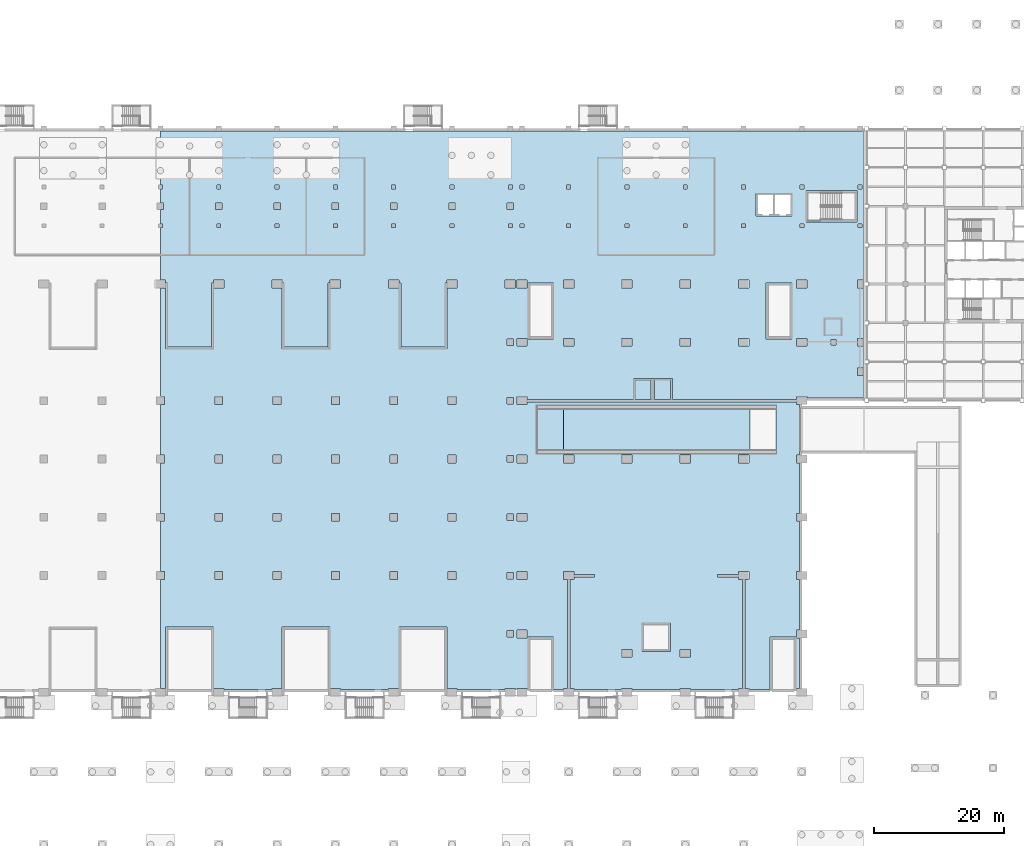
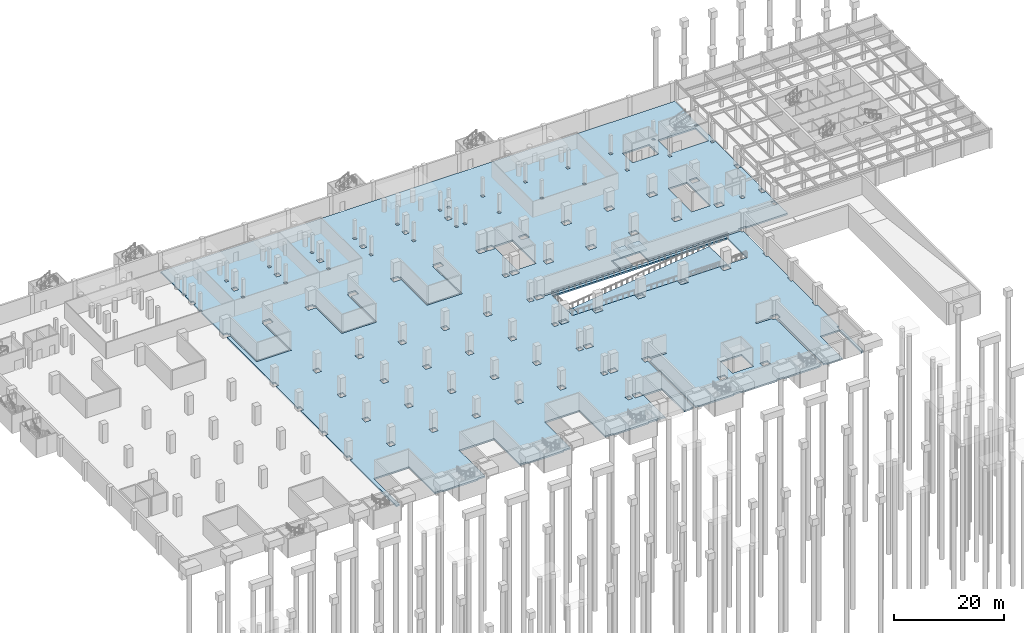
# One storey, part 9 of 27: 6 slabs.
"""IFC4 building model written with IfcOpenShell, lengths in metres."""

from ifc_helpers import new_model, si_unit, direction, frame, origin, place, context, subcontext, project, spatial, polyline, outline, extrude, material, layer, layer_set, type_object, element, save


model = new_model("IFC4")

# Units and contexts
model_context = context("Model", 3, precision=1e-05, world=origin(), true_north=direction((0.0, 1.0)))
body_context = subcontext(model_context, "Body", "Model", "MODEL_VIEW")
ifc_project = project(units=[si_unit("LENGTHUNIT", "METRE"), si_unit("AREAUNIT", "SQUARE_METRE"), si_unit("VOLUMEUNIT", "CUBIC_METRE"), si_unit("PLANEANGLEUNIT", "RADIAN"), si_unit("MASSUNIT", "GRAM", prefix="KILO")], contexts=[model_context])

# Site, building, storey
site_placement = place(None, origin())
site = spatial("IfcSite", under=ifc_project, at=site_placement, CompositionType="ELEMENT")
building_placement = place(site_placement, origin())
building = spatial("IfcBuilding", under=site, at=building_placement, Name="Aravalli Gate Trade Fair Centre", CompositionType="ELEMENT")
storey_placement = place(building_placement, frame((0.0, 0.0, -4.199951171875)))
storey = spatial("IfcBuildingStorey", under=building, at=storey_placement, Name="B1", CompositionType="ELEMENT", Elevation=-4.199951171875)

# Slabs
ifc_material_1 = material(Name="Concrete M40", Category="concrete")
ifc_layer_1 = layer(ifc_material_1, 0.35009765625)
ifc_layer_set_1 = layer_set([ifc_layer_1], Name="Concrete M40")
slab_type_1 = type_object("IfcSlabType", Name="Basement floor slab 350", PredefinedType="FLOOR", material=ifc_layer_set_1)
slab_1_placement = place(storey_placement, frame((0.0, 0.0, -0.35009765625)))
element("IfcSlab", 1, at=slab_1_placement, inside=storey, type_object=slab_type_1, Name="Basement floor slab B1 west of the seismic joint, part 2 of 2", PredefinedType="FLOOR", context=body_context, shape_type="SweptSolid", body=[
    extrude(outline(polyline([(150.802001953125, 91.60205078125), (150.802001953125, 91.39990234375), (159.5, 91.39990234375), (159.5, 132.60009765625), (159.402099609375, 132.60009765625), (159.402099609375, 132.597900390625), (158.597900390625, 132.597900390625), (158.597900390625, 132.60009765625), (150.402099609375, 132.60009765625), (150.402099609375, 132.597900390625), (149.597900390625, 132.597900390625), (149.597900390625, 132.60009765625), (141.402099609375, 132.60009765625), (141.402099609375, 132.597900390625), (140.597900390625, 132.597900390625), (140.597900390625, 132.60009765625), (132.402099609375, 132.60009765625), (132.402099609375, 132.597900390625), (131.597900390625, 132.597900390625), (131.597900390625, 132.60009765625), (123.402099609375, 132.60009765625), (123.402099609375, 132.597900390625), (122.597900390625, 132.597900390625), (122.597900390625, 132.60009765625), (114.402099609375, 132.60009765625), (114.402099609375, 132.597900390625), (113.597900390625, 132.597900390625), (113.597900390625, 132.60009765625), (107.201904296875, 132.60009765625), (107.201904296875, 132.597900390625), (106.39794921875, 132.597900390625), (106.39794921875, 132.60009765625), (105.402099609375, 132.60009765625), (105.402099609375, 132.597900390625), (104.597900390625, 132.597900390625), (104.597900390625, 132.60009765625), (96.402099609375, 132.60009765625), (96.402099609375, 132.597900390625), (95.597900390625, 132.597900390625), (95.597900390625, 132.60009765625), (87.402099609375, 132.60009765625), (87.402099609375, 132.597900390625), (86.597900390625, 132.597900390625), (86.597900390625, 132.60009765625), (78.402099609375, 132.60009765625), (78.402099609375, 132.597900390625), (77.597900390625, 132.597900390625), (77.597900390625, 132.60009765625), (69.402099609375, 132.60009765625), (69.402099609375, 132.597900390625), (68.597900390625, 132.597900390625), (68.597900390625, 132.60009765625), (60.402099609375, 132.60009765625), (60.402099609375, 132.597900390625), (59.597900390625, 132.597900390625), (59.597900390625, 132.60009765625), (51.402099609375, 132.60009765625), (51.402099609375, 132.597900390625), (51.02001953125, 132.597900390625), (51.02001953125, 124.302001953125), (51.302001953125, 124.302001953125), (51.302001953125, 123.697998046875), (51.02001953125, 123.697998046875), (51.02001953125, 121.501953125), (51.501953125, 121.501953125), (51.501953125, 120.498046875), (51.02001953125, 120.498046875), (51.02001953125, 118.302001953125), (51.302001953125, 118.302001953125), (51.302001953125, 117.697998046875), (51.02001953125, 117.697998046875), (51.02001953125, 109.60205078125), (51.802001953125, 109.60205078125), (51.802001953125, 109.152099609375), (52.10205078125, 109.152099609375), (52.10205078125, 99.251953125), (58.89794921875, 99.251953125), (58.89794921875, 109.152099609375), (59.197998046875, 109.152099609375), (59.197998046875, 109.60205078125), (60.802001953125, 109.60205078125), (60.802001953125, 108.39794921875), (59.201904296875, 108.39794921875), (59.201904296875, 98.947998046875), (58.902099609375, 98.947998046875), (52.097900390625, 98.947998046875), (51.798095703125, 98.947998046875), (51.798095703125, 108.39794921875), (51.02001953125, 108.39794921875), (51.02001953125, 91.60205078125), (51.60205078125, 91.60205078125), (51.60205078125, 90.39794921875), (51.02001953125, 90.39794921875), (51.02001953125, 82.60205078125), (51.60205078125, 82.60205078125), (51.60205078125, 81.39794921875), (51.02001953125, 81.39794921875), (51.02001953125, 73.60205078125), (51.60205078125, 73.60205078125), (51.60205078125, 72.39794921875), (51.02001953125, 72.39794921875), (51.02001953125, 64.60205078125), (51.60205078125, 64.60205078125), (51.60205078125, 63.39794921875), (51.02001953125, 63.39794921875), (51.02001953125, 46.60205078125), (51.798095703125, 46.60205078125), (51.798095703125, 56.052001953125), (52.097900390625, 56.052001953125), (52.10205078125, 56.052001953125), (58.89794921875, 56.052001953125), (58.902099609375, 56.052001953125), (59.201904296875, 56.052001953125), (59.201904296875, 46.60205078125), (60.802001953125, 46.60205078125), (60.802001953125, 46.39990234375), (68.197998046875, 46.39990234375), (68.197998046875, 46.60205078125), (69.798095703125, 46.60205078125), (69.798095703125, 56.052001953125), (70.097900390625, 56.052001953125), (70.10205078125, 56.052001953125), (76.89794921875, 56.052001953125), (76.902099609375, 56.052001953125), (77.201904296875, 56.052001953125), (77.201904296875, 46.60205078125), (78.802001953125, 46.60205078125), (78.802001953125, 46.39990234375), (86.197998046875, 46.39990234375), (86.197998046875, 46.60205078125), (87.798095703125, 46.60205078125), (87.798095703125, 56.052001953125), (88.097900390625, 56.052001953125), (88.10205078125, 56.052001953125), (94.89794921875, 56.052001953125), (94.902099609375, 56.052001953125), (95.201904296875, 56.052001953125), (95.201904296875, 46.60205078125), (96.802001953125, 46.60205078125), (96.802001953125, 46.39990234375), (104.197998046875, 46.39990234375), (104.197998046875, 46.60205078125), (105.802001953125, 46.60205078125), (105.802001953125, 46.39990234375), (105.998046875, 46.39990234375), (105.998046875, 46.60205078125), (107.60205078125, 46.60205078125), (107.60205078125, 46.39990234375), (107.697998046875, 46.39990234375), (107.697998046875, 54.501953125), (107.998046875, 54.501953125), (108.001953125, 54.501953125), (111.39794921875, 54.501953125), (111.402099609375, 54.501953125), (111.701904296875, 54.501953125), (111.701904296875, 46.39990234375), (113.197998046875, 46.39990234375), (113.197998046875, 46.60205078125), (113.798095703125, 46.60205078125), (113.798095703125, 63.39794921875), (113.197998046875, 63.39794921875), (113.197998046875, 64.60205078125), (114.802001953125, 64.60205078125), (114.802001953125, 64.201904296875), (118.001953125, 64.201904296875), (118.001953125, 63.798095703125), (114.802001953125, 63.798095703125), (114.802001953125, 63.39794921875), (114.201904296875, 63.39794921875), (114.201904296875, 46.60205078125), (114.802001953125, 46.60205078125), (114.802001953125, 46.39990234375), (122.197998046875, 46.39990234375), (122.197998046875, 46.60205078125), (123.802001953125, 46.60205078125), (123.802001953125, 46.39990234375), (131.197998046875, 46.39990234375), (131.197998046875, 46.60205078125), (132.802001953125, 46.60205078125), (132.802001953125, 46.39990234375), (140.197998046875, 46.39990234375), (140.197998046875, 46.60205078125), (140.798095703125, 46.60205078125), (140.798095703125, 63.39794921875), (140.197998046875, 63.39794921875), (140.197998046875, 63.798095703125), (136.998046875, 63.798095703125), (136.998046875, 64.201904296875), (140.197998046875, 64.201904296875), (140.197998046875, 64.60205078125), (141.802001953125, 64.60205078125), (141.802001953125, 63.39794921875), (141.201904296875, 63.39794921875), (141.201904296875, 46.60205078125), (141.802001953125, 46.60205078125), (141.802001953125, 46.39990234375), (145.097900390625, 46.39990234375), (145.097900390625, 54.501953125), (145.39794921875, 54.501953125), (145.402099609375, 54.501953125), (148.798095703125, 54.501953125), (148.802001953125, 54.501953125), (149.10205078125, 54.501953125), (149.10205078125, 46.39990234375), (149.197998046875, 46.39990234375), (149.197998046875, 46.60205078125), (149.60009765625, 46.60205078125), (149.60009765625, 54.39794921875), (149.197998046875, 54.39794921875), (149.197998046875, 55.60205078125), (149.60009765625, 55.60205078125), (149.60009765625, 63.39794921875), (149.197998046875, 63.39794921875), (149.197998046875, 64.60205078125), (149.60009765625, 64.60205078125), (149.60009765625, 72.39794921875), (149.197998046875, 72.39794921875), (149.197998046875, 73.60205078125), (149.60009765625, 73.60205078125), (149.60009765625, 81.39794921875), (149.197998046875, 81.39794921875), (149.197998046875, 82.60205078125), (149.60009765625, 82.60205078125), (149.60009765625, 90.39794921875), (149.197998046875, 90.39794921875), (149.197998046875, 90.798095703125), (107.60205078125, 90.798095703125), (107.60205078125, 90.39794921875), (105.998046875, 90.39794921875), (105.998046875, 91.60205078125), (107.60205078125, 91.60205078125), (107.60205078125, 91.201904296875), (123.998046875, 91.201904296875), (123.998046875, 94.402099609375), (124.248046875, 94.402099609375), (124.251953125, 94.402099609375), (126.748046875, 94.402099609375), (126.751953125, 94.402099609375), (126.998046875, 94.402099609375), (127.001953125, 94.402099609375), (127.248046875, 94.402099609375), (127.251953125, 94.402099609375), (129.748046875, 94.402099609375), (129.751953125, 94.402099609375), (130.001953125, 94.402099609375), (130.001953125, 91.201904296875), (149.197998046875, 91.201904296875), (149.197998046875, 91.60205078125), (150.802001953125, 91.60205078125)]), holes=[polyline([(159.402099609375, 109.60205078125), (159.402099609375, 108.39794921875), (158.597900390625, 108.39794921875), (158.597900390625, 109.60205078125), (159.402099609375, 109.60205078125)]), polyline([(159.402099609375, 100.60205078125), (159.402099609375, 99.39794921875), (158.597900390625, 99.39794921875), (158.597900390625, 100.60205078125), (159.402099609375, 100.60205078125)]), polyline([(159.402099609375, 96.052001953125), (159.402099609375, 94.847900390625), (158.597900390625, 94.847900390625), (158.597900390625, 96.052001953125), (159.402099609375, 96.052001953125)]), polyline([(159.302001953125, 124.302001953125), (159.302001953125, 123.697998046875), (158.697998046875, 123.697998046875), (158.697998046875, 124.302001953125), (159.302001953125, 124.302001953125)]), polyline([(158.697998046875, 118.302001953125), (159.302001953125, 118.302001953125), (159.302001953125, 117.697998046875), (158.697998046875, 117.697998046875), (158.697998046875, 118.302001953125)]), polyline([(150.597900390625, 123.097900390625), (150.597900390625, 123.10205078125), (150.597900390625, 123.402099609375), (158.501953125, 123.402099609375), (158.501953125, 123.10205078125), (158.501953125, 123.097900390625), (158.501953125, 118.902099609375), (158.501953125, 118.89794921875), (158.501953125, 118.597900390625), (150.597900390625, 118.597900390625), (150.597900390625, 118.89794921875), (150.597900390625, 118.902099609375), (150.597900390625, 123.097900390625)]), polyline([(154.498046875, 100.402099609375), (155.302001953125, 100.402099609375), (155.302001953125, 99.597900390625), (154.498046875, 99.597900390625), (154.498046875, 100.402099609375)]), polyline([(149.197998046875, 109.60205078125), (150.802001953125, 109.60205078125), (150.802001953125, 108.39794921875), (149.197998046875, 108.39794921875), (149.197998046875, 109.60205078125)]), polyline([(149.197998046875, 100.60205078125), (150.802001953125, 100.60205078125), (150.802001953125, 99.39794921875), (149.197998046875, 99.39794921875), (149.197998046875, 100.60205078125)]), polyline([(149.697998046875, 124.302001953125), (150.302001953125, 124.302001953125), (150.302001953125, 123.697998046875), (149.697998046875, 123.697998046875), (149.697998046875, 124.302001953125)]), polyline([(150.302001953125, 118.302001953125), (150.302001953125, 117.697998046875), (149.697998046875, 117.697998046875), (149.697998046875, 118.302001953125), (150.302001953125, 118.302001953125)]), polyline([(148.197998046875, 100.548095703125), (144.802001953125, 100.548095703125), (144.798095703125, 100.548095703125), (144.498046875, 100.548095703125), (144.498046875, 109.152099609375), (144.798095703125, 109.152099609375), (144.802001953125, 109.152099609375), (148.197998046875, 109.152099609375), (148.201904296875, 109.152099609375), (148.501953125, 109.152099609375), (148.501953125, 100.548095703125), (148.201904296875, 100.548095703125), (148.197998046875, 100.548095703125)]), polyline([(142.947998046875, 119.498046875), (142.947998046875, 119.748046875), (142.947998046875, 119.751953125), (142.947998046875, 122.748046875), (142.947998046875, 122.751953125), (142.947998046875, 123.001953125), (148.501953125, 123.001953125), (148.501953125, 122.751953125), (148.501953125, 122.748046875), (148.501953125, 119.751953125), (148.501953125, 119.748046875), (148.501953125, 119.498046875), (142.947998046875, 119.498046875)]), polyline([(146.001953125, 90.152099609375), (146.001953125, 82.847900390625), (109.1748046875, 82.847900390625), (109.1748046875, 90.152099609375), (146.001953125, 90.152099609375)]), polyline([(140.197998046875, 109.60205078125), (141.802001953125, 109.60205078125), (141.802001953125, 108.39794921875), (140.197998046875, 108.39794921875), (140.197998046875, 109.60205078125)]), polyline([(141.802001953125, 100.60205078125), (141.802001953125, 99.39794921875), (140.197998046875, 99.39794921875), (140.197998046875, 100.60205078125), (141.802001953125, 100.60205078125)]), polyline([(140.197998046875, 82.60205078125), (141.802001953125, 82.60205078125), (141.802001953125, 81.39794921875), (140.197998046875, 81.39794921875), (140.197998046875, 82.60205078125)]), polyline([(140.697998046875, 124.302001953125), (141.302001953125, 124.302001953125), (141.302001953125, 123.697998046875), (140.697998046875, 123.697998046875), (140.697998046875, 124.302001953125)]), polyline([(140.697998046875, 118.302001953125), (141.302001953125, 118.302001953125), (141.302001953125, 117.697998046875), (140.697998046875, 117.697998046875), (140.697998046875, 118.302001953125)]), polyline([(132.802001953125, 109.60205078125), (132.802001953125, 108.39794921875), (131.197998046875, 108.39794921875), (131.197998046875, 109.60205078125), (132.802001953125, 109.60205078125)]), polyline([(132.802001953125, 100.60205078125), (132.802001953125, 99.39794921875), (131.197998046875, 99.39794921875), (131.197998046875, 100.60205078125), (132.802001953125, 100.60205078125)]), polyline([(131.197998046875, 82.60205078125), (132.802001953125, 82.60205078125), (132.802001953125, 81.39794921875), (131.197998046875, 81.39794921875), (131.197998046875, 82.60205078125)]), polyline([(132.802001953125, 52.60205078125), (132.802001953125, 51.39794921875), (131.197998046875, 51.39794921875), (131.197998046875, 52.60205078125), (132.802001953125, 52.60205078125)]), polyline([(132.302001953125, 124.302001953125), (132.302001953125, 123.697998046875), (131.697998046875, 123.697998046875), (131.697998046875, 124.302001953125), (132.302001953125, 124.302001953125)]), polyline([(131.697998046875, 118.302001953125), (132.302001953125, 118.302001953125), (132.302001953125, 117.697998046875), (131.697998046875, 117.697998046875), (131.697998046875, 118.302001953125)]), polyline([(125.548095703125, 52.298095703125), (125.298095703125, 52.298095703125), (125.298095703125, 56.701904296875), (125.548095703125, 56.701904296875), (125.552001953125, 56.701904296875), (129.447998046875, 56.701904296875), (129.451904296875, 56.701904296875), (129.701904296875, 56.701904296875), (129.701904296875, 52.298095703125), (129.451904296875, 52.298095703125), (129.447998046875, 52.298095703125), (125.552001953125, 52.298095703125), (125.548095703125, 52.298095703125)]), polyline([(122.197998046875, 109.60205078125), (123.802001953125, 109.60205078125), (123.802001953125, 108.39794921875), (122.197998046875, 108.39794921875), (122.197998046875, 109.60205078125)]), polyline([(122.197998046875, 100.60205078125), (123.802001953125, 100.60205078125), (123.802001953125, 99.39794921875), (122.197998046875, 99.39794921875), (122.197998046875, 100.60205078125)]), polyline([(122.197998046875, 82.60205078125), (123.802001953125, 82.60205078125), (123.802001953125, 81.39794921875), (122.197998046875, 81.39794921875), (122.197998046875, 82.60205078125)]), polyline([(122.197998046875, 52.60205078125), (123.802001953125, 52.60205078125), (123.802001953125, 51.39794921875), (122.197998046875, 51.39794921875), (122.197998046875, 52.60205078125)]), polyline([(123.302001953125, 124.302001953125), (123.302001953125, 123.697998046875), (122.697998046875, 123.697998046875), (122.697998046875, 124.302001953125), (123.302001953125, 124.302001953125)]), polyline([(123.302001953125, 118.302001953125), (123.302001953125, 117.697998046875), (122.697998046875, 117.697998046875), (122.697998046875, 118.302001953125), (123.302001953125, 118.302001953125)]), polyline([(113.197998046875, 82.60205078125), (114.802001953125, 82.60205078125), (114.802001953125, 81.39794921875), (113.197998046875, 81.39794921875), (113.197998046875, 82.60205078125)]), polyline([(114.802001953125, 100.60205078125), (114.802001953125, 99.39794921875), (113.197998046875, 99.39794921875), (113.197998046875, 100.60205078125), (114.802001953125, 100.60205078125)]), polyline([(113.197998046875, 109.60205078125), (114.802001953125, 109.60205078125), (114.802001953125, 108.39794921875), (113.197998046875, 108.39794921875), (113.197998046875, 109.60205078125)]), polyline([(113.697998046875, 124.302001953125), (114.302001953125, 124.302001953125), (114.302001953125, 123.697998046875), (113.697998046875, 123.697998046875), (113.697998046875, 124.302001953125)]), polyline([(113.697998046875, 118.302001953125), (114.302001953125, 118.302001953125), (114.302001953125, 117.697998046875), (113.697998046875, 117.697998046875), (113.697998046875, 118.302001953125)]), polyline([(107.697998046875, 109.152099609375), (107.998046875, 109.152099609375), (108.001953125, 109.152099609375), (111.39794921875, 109.152099609375), (111.402099609375, 109.152099609375), (111.701904296875, 109.152099609375), (111.701904296875, 100.548095703125), (111.402099609375, 100.548095703125), (111.39794921875, 100.548095703125), (108.001953125, 100.548095703125), (107.998046875, 100.548095703125), (107.697998046875, 100.548095703125), (107.697998046875, 109.152099609375)]), polyline([(105.998046875, 100.60205078125), (107.60205078125, 100.60205078125), (107.60205078125, 99.39794921875), (105.998046875, 99.39794921875), (105.998046875, 100.60205078125)]), polyline([(107.60205078125, 55.60205078125), (107.60205078125, 54.39794921875), (105.998046875, 54.39794921875), (105.998046875, 55.60205078125), (107.60205078125, 55.60205078125)]), polyline([(105.998046875, 64.60205078125), (107.60205078125, 64.60205078125), (107.60205078125, 63.39794921875), (105.998046875, 63.39794921875), (105.998046875, 64.60205078125)]), polyline([(105.998046875, 73.60205078125), (107.60205078125, 73.60205078125), (107.60205078125, 72.39794921875), (105.998046875, 72.39794921875), (105.998046875, 73.60205078125)]), polyline([(107.60205078125, 82.60205078125), (107.60205078125, 81.39794921875), (105.998046875, 81.39794921875), (105.998046875, 82.60205078125), (107.60205078125, 82.60205078125)]), polyline([(107.60205078125, 109.60205078125), (107.60205078125, 108.39794921875), (105.998046875, 108.39794921875), (105.998046875, 109.60205078125), (107.60205078125, 109.60205078125)]), polyline([(106.498046875, 124.302001953125), (107.10205078125, 124.302001953125), (107.10205078125, 123.697998046875), (106.498046875, 123.697998046875), (106.498046875, 124.302001953125)]), polyline([(107.10205078125, 118.302001953125), (107.10205078125, 117.697998046875), (106.498046875, 117.697998046875), (106.498046875, 118.302001953125), (107.10205078125, 118.302001953125)]), polyline([(104.197998046875, 109.60205078125), (105.802001953125, 109.60205078125), (105.802001953125, 108.39794921875), (104.197998046875, 108.39794921875), (104.197998046875, 109.60205078125)]), polyline([(104.498046875, 121.501953125), (105.501953125, 121.501953125), (105.501953125, 120.498046875), (104.498046875, 120.498046875), (104.498046875, 121.501953125)]), polyline([(104.498046875, 100.501953125), (105.501953125, 100.501953125), (105.501953125, 99.498046875), (104.498046875, 99.498046875), (104.498046875, 100.501953125)]), polyline([(105.501953125, 91.501953125), (105.501953125, 90.498046875), (104.498046875, 90.498046875), (104.498046875, 91.501953125), (105.501953125, 91.501953125)]), polyline([(104.498046875, 82.501953125), (105.501953125, 82.501953125), (105.501953125, 81.498046875), (104.498046875, 81.498046875), (104.498046875, 82.501953125)]), polyline([(104.498046875, 73.501953125), (105.501953125, 73.501953125), (105.501953125, 72.498046875), (104.498046875, 72.498046875), (104.498046875, 73.501953125)]), polyline([(104.498046875, 64.501953125), (105.501953125, 64.501953125), (105.501953125, 63.498046875), (104.498046875, 63.498046875), (104.498046875, 64.501953125)]), polyline([(104.498046875, 55.501953125), (105.501953125, 55.501953125), (105.501953125, 54.498046875), (104.498046875, 54.498046875), (104.498046875, 55.501953125)]), polyline([(105.302001953125, 124.302001953125), (105.302001953125, 123.697998046875), (104.697998046875, 123.697998046875), (104.697998046875, 124.302001953125), (105.302001953125, 124.302001953125)]), polyline([(105.302001953125, 118.302001953125), (105.302001953125, 117.697998046875), (104.697998046875, 117.697998046875), (104.697998046875, 118.302001953125), (105.302001953125, 118.302001953125)]), polyline([(94.89794921875, 109.152099609375), (95.197998046875, 109.152099609375), (95.197998046875, 109.60205078125), (96.802001953125, 109.60205078125), (96.802001953125, 108.39794921875), (95.201904296875, 108.39794921875), (95.201904296875, 98.947998046875), (94.902099609375, 98.947998046875), (88.097900390625, 98.947998046875), (87.798095703125, 98.947998046875), (87.798095703125, 108.39794921875), (86.197998046875, 108.39794921875), (86.197998046875, 109.60205078125), (87.802001953125, 109.60205078125), (87.802001953125, 109.152099609375), (88.10205078125, 109.152099609375), (88.10205078125, 99.251953125), (94.89794921875, 99.251953125), (94.89794921875, 109.152099609375)]), polyline([(96.60205078125, 64.60205078125), (96.60205078125, 63.39794921875), (95.39794921875, 63.39794921875), (95.39794921875, 64.60205078125), (96.60205078125, 64.60205078125)]), polyline([(96.60205078125, 73.60205078125), (96.60205078125, 72.39794921875), (95.39794921875, 72.39794921875), (95.39794921875, 73.60205078125), (96.60205078125, 73.60205078125)]), polyline([(95.39794921875, 82.60205078125), (96.60205078125, 82.60205078125), (96.60205078125, 81.39794921875), (95.39794921875, 81.39794921875), (95.39794921875, 82.60205078125)]), polyline([(95.39794921875, 91.60205078125), (96.60205078125, 91.60205078125), (96.60205078125, 90.39794921875), (95.39794921875, 90.39794921875), (95.39794921875, 91.60205078125)]), polyline([(96.501953125, 121.501953125), (96.501953125, 120.498046875), (95.498046875, 120.498046875), (95.498046875, 121.501953125), (96.501953125, 121.501953125)]), polyline([(95.697998046875, 118.302001953125), (96.302001953125, 118.302001953125), (96.302001953125, 117.697998046875), (95.697998046875, 117.697998046875), (95.697998046875, 118.302001953125)]), polyline([(95.697998046875, 124.302001953125), (96.302001953125, 124.302001953125), (96.302001953125, 123.697998046875), (95.697998046875, 123.697998046875), (95.697998046875, 124.302001953125)]), polyline([(87.60205078125, 64.60205078125), (87.60205078125, 63.39794921875), (86.39794921875, 63.39794921875), (86.39794921875, 64.60205078125), (87.60205078125, 64.60205078125)]), polyline([(87.60205078125, 73.60205078125), (87.60205078125, 72.39794921875), (86.39794921875, 72.39794921875), (86.39794921875, 73.60205078125), (87.60205078125, 73.60205078125)]), polyline([(87.60205078125, 82.60205078125), (87.60205078125, 81.39794921875), (86.39794921875, 81.39794921875), (86.39794921875, 82.60205078125), (87.60205078125, 82.60205078125)]), polyline([(86.39794921875, 91.60205078125), (87.60205078125, 91.60205078125), (87.60205078125, 90.39794921875), (86.39794921875, 90.39794921875), (86.39794921875, 91.60205078125)]), polyline([(86.498046875, 121.501953125), (87.501953125, 121.501953125), (87.501953125, 120.498046875), (86.498046875, 120.498046875), (86.498046875, 121.501953125)]), polyline([(87.302001953125, 124.302001953125), (87.302001953125, 123.697998046875), (86.697998046875, 123.697998046875), (86.697998046875, 124.302001953125), (87.302001953125, 124.302001953125)]), polyline([(86.697998046875, 118.302001953125), (87.302001953125, 118.302001953125), (87.302001953125, 117.697998046875), (86.697998046875, 117.697998046875), (86.697998046875, 118.302001953125)]), polyline([(69.802001953125, 109.60205078125), (69.802001953125, 109.152099609375), (70.10205078125, 109.152099609375), (70.10205078125, 99.251953125), (76.89794921875, 99.251953125), (76.89794921875, 109.152099609375), (77.197998046875, 109.152099609375), (77.197998046875, 109.60205078125), (78.802001953125, 109.60205078125), (78.802001953125, 108.39794921875), (77.201904296875, 108.39794921875), (77.201904296875, 98.947998046875), (76.902099609375, 98.947998046875), (70.097900390625, 98.947998046875), (69.798095703125, 98.947998046875), (69.798095703125, 108.39794921875), (68.197998046875, 108.39794921875), (68.197998046875, 109.60205078125), (69.802001953125, 109.60205078125)]), polyline([(78.60205078125, 91.60205078125), (78.60205078125, 90.39794921875), (77.39794921875, 90.39794921875), (77.39794921875, 91.60205078125), (78.60205078125, 91.60205078125)]), polyline([(77.39794921875, 82.60205078125), (78.60205078125, 82.60205078125), (78.60205078125, 81.39794921875), (77.39794921875, 81.39794921875), (77.39794921875, 82.60205078125)]), polyline([(77.39794921875, 73.60205078125), (78.60205078125, 73.60205078125), (78.60205078125, 72.39794921875), (77.39794921875, 72.39794921875), (77.39794921875, 73.60205078125)]), polyline([(77.39794921875, 64.60205078125), (78.60205078125, 64.60205078125), (78.60205078125, 63.39794921875), (77.39794921875, 63.39794921875), (77.39794921875, 64.60205078125)]), polyline([(77.498046875, 121.501953125), (78.501953125, 121.501953125), (78.501953125, 120.498046875), (77.498046875, 120.498046875), (77.498046875, 121.501953125)]), polyline([(78.302001953125, 124.302001953125), (78.302001953125, 123.697998046875), (77.697998046875, 123.697998046875), (77.697998046875, 124.302001953125), (78.302001953125, 124.302001953125)]), polyline([(78.302001953125, 118.302001953125), (78.302001953125, 117.697998046875), (77.697998046875, 117.697998046875), (77.697998046875, 118.302001953125), (78.302001953125, 118.302001953125)]), polyline([(68.39794921875, 73.60205078125), (69.60205078125, 73.60205078125), (69.60205078125, 72.39794921875), (68.39794921875, 72.39794921875), (68.39794921875, 73.60205078125)]), polyline([(68.39794921875, 64.60205078125), (69.60205078125, 64.60205078125), (69.60205078125, 63.39794921875), (68.39794921875, 63.39794921875), (68.39794921875, 64.60205078125)]), polyline([(69.60205078125, 82.60205078125), (69.60205078125, 81.39794921875), (68.39794921875, 81.39794921875), (68.39794921875, 82.60205078125), (69.60205078125, 82.60205078125)]), polyline([(69.60205078125, 91.60205078125), (69.60205078125, 90.39794921875), (68.39794921875, 90.39794921875), (68.39794921875, 91.60205078125), (69.60205078125, 91.60205078125)]), polyline([(69.501953125, 121.501953125), (69.501953125, 120.498046875), (68.498046875, 120.498046875), (68.498046875, 121.501953125), (69.501953125, 121.501953125)]), polyline([(68.697998046875, 124.302001953125), (69.302001953125, 124.302001953125), (69.302001953125, 123.697998046875), (68.697998046875, 123.697998046875), (68.697998046875, 124.302001953125)]), polyline([(69.302001953125, 118.302001953125), (69.302001953125, 117.697998046875), (68.697998046875, 117.697998046875), (68.697998046875, 118.302001953125), (69.302001953125, 118.302001953125)]), polyline([(60.60205078125, 91.60205078125), (60.60205078125, 90.39794921875), (59.39794921875, 90.39794921875), (59.39794921875, 91.60205078125), (60.60205078125, 91.60205078125)]), polyline([(60.60205078125, 82.60205078125), (60.60205078125, 81.39794921875), (59.39794921875, 81.39794921875), (59.39794921875, 82.60205078125), (60.60205078125, 82.60205078125)]), polyline([(59.39794921875, 73.60205078125), (60.60205078125, 73.60205078125), (60.60205078125, 72.39794921875), (59.39794921875, 72.39794921875), (59.39794921875, 73.60205078125)]), polyline([(59.39794921875, 64.60205078125), (60.60205078125, 64.60205078125), (60.60205078125, 63.39794921875), (59.39794921875, 63.39794921875), (59.39794921875, 64.60205078125)]), polyline([(59.498046875, 121.501953125), (60.501953125, 121.501953125), (60.501953125, 120.498046875), (59.498046875, 120.498046875), (59.498046875, 121.501953125)]), polyline([(59.697998046875, 124.302001953125), (60.302001953125, 124.302001953125), (60.302001953125, 123.697998046875), (59.697998046875, 123.697998046875), (59.697998046875, 124.302001953125)]), polyline([(59.697998046875, 118.302001953125), (60.302001953125, 118.302001953125), (60.302001953125, 117.697998046875), (59.697998046875, 117.697998046875), (59.697998046875, 118.302001953125)])]), origin(), (0.0, 0.0, 1.0), 0.35009765625),
])
slab_2_placement = place(storey_placement, frame((0.0, 0.0, -0.35009765625)))
element("IfcSlab", 2, at=slab_2_placement, inside=storey, type_object=slab_type_1, Name="Basement floor slab B1 west of the seismic joint", PredefinedType="FLOOR", context=body_context, shape_type="SweptSolid", body=[
    extrude(outline(polyline([(124.251953125, 94.14794921875), (126.748046875, 94.14794921875), (126.748046875, 91.201904296875), (124.251953125, 91.201904296875), (124.251953125, 94.14794921875)])), origin(), (0.0, 0.0, 1.0), 0.35009765625),
])
ifc_layer_2 = layer(ifc_material_1, 0.35009765625)
ifc_layer_set_2 = layer_set([ifc_layer_2], Name="Concrete M40")
slab_type_2 = type_object("IfcSlabType", Name="Basement vehicle ramp slab 350", PredefinedType="USERDEFINED", material=ifc_layer_set_2)
slab_3_placement = place(storey_placement, frame((142.0, 83.25, -0.25), z_axis=(-0.124038872364, 0.0, 0.992277359483), x_axis=(0.0, 1.0, 0.0)))
element("IfcSlab", 3, at=slab_3_placement, inside=storey, type_object=slab_type_2, Name="Vehicle ramp slab B2", ObjectType="PAVING", PredefinedType="USERDEFINED", context=body_context, shape_type="SweptSolid", body=[
    extrude(outline(polyline([(0.0, 0.0), (6.5, 0.0), (6.5, 29.047566098368552), (0.0, 29.047566098368552), (0.0, 0.0)])), origin(), (0.0, 0.0, -1.0), 0.35009765625),
])
slab_4_placement = place(storey_placement, frame((113.1767578125, 83.25, -3.85302734375), z_axis=(-0.08640657957, 0.0, 0.996259957545), x_axis=(0.0, 1.0, 0.0)))
element("IfcSlab", 4, at=slab_4_placement, inside=storey, type_object=slab_type_2, Name="Vehicle ramp slab B3", ObjectType="PAVING", PredefinedType="USERDEFINED", context=body_context, shape_type="SweptSolid", body=[
    extrude(outline(polyline([(0.0, 0.0), (6.5, 0.0), (6.5, 4.0150163315385035), (0.0, 4.0150163315385035), (0.0, 0.0)])), origin(), (0.0, 0.0, -1.0), 0.35009765625),
])
ifc_material_2 = material(Name="Concrete M45", Category="concrete")
ifc_layer_3 = layer(ifc_material_2, 0.39990234375)
ifc_layer_set_3 = layer_set([ifc_layer_3], Name="Concrete M45")
slab_type_3 = type_object("IfcSlabType", Name="Congress lift pit slab RC 400", PredefinedType="BASESLAB", material=ifc_layer_set_3)
slab_5_placement = place(storey_placement, frame((0.0, 0.0, 2.199951171875)))
element("IfcSlab", 5, at=slab_5_placement, inside=storey, type_object=slab_type_3, Name="Lift GL1 pit slab", PredefinedType="BASESLAB", context=body_context, shape_type="SweptSolid", body=[
    extrude(outline(polyline([(124.25, 91.199951171875), (126.75, 91.199951171875), (126.75, 94.14990234375), (124.25, 94.14990234375), (124.25, 91.199951171875)])), origin(), (0.0, 0.0, 1.0), 0.39990234375),
])
slab_6_placement = place(storey_placement, frame((0.0, 0.0, 2.199951171875)))
element("IfcSlab", 6, at=slab_6_placement, inside=storey, type_object=slab_type_3, Name="Lift GL2 pit slab", PredefinedType="BASESLAB", context=body_context, shape_type="SweptSolid", body=[
    extrude(outline(polyline([(127.25, 91.199951171875), (129.75, 91.199951171875), (129.75, 94.14990234375), (127.25, 94.14990234375), (127.25, 91.199951171875)])), origin(), (0.0, 0.0, 1.0), 0.39990234375),
])

save(model, "model.ifc")
